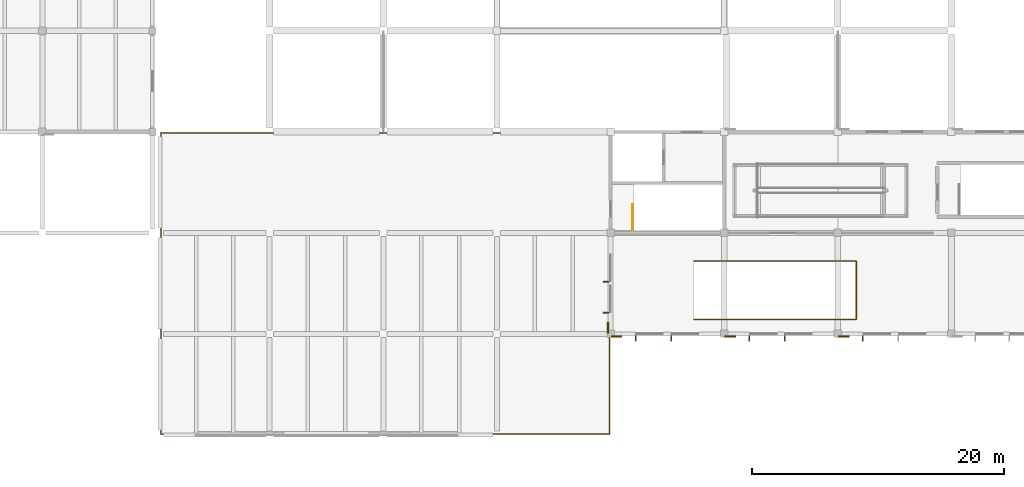
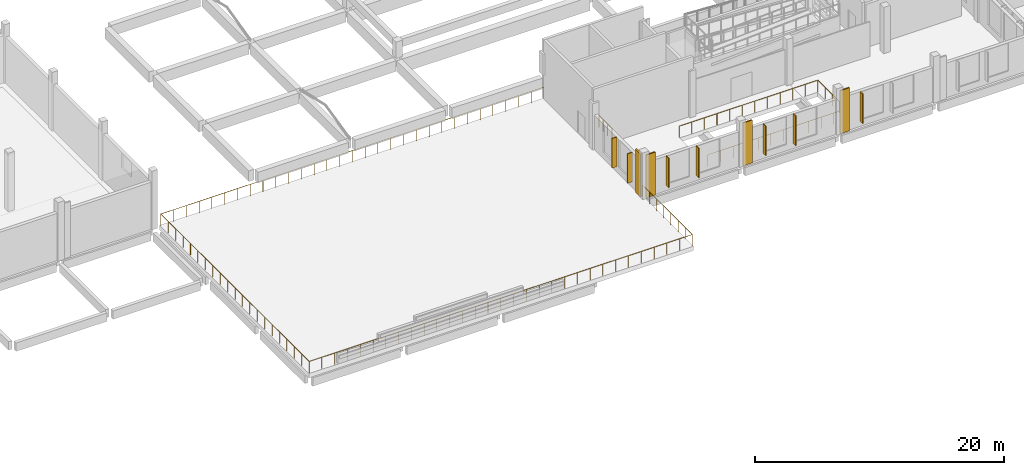
# One storey, part 49 of 63: 7 shading devices, 4 coverings, 3 railings.
"""IFC4 building model written with IfcOpenShell, lengths in metres."""

from ifc_helpers import new_model, si_unit, direction, frame, origin, origin_2d, place, context, subcontext, project, spatial, rectangle, circle, extrude, material, layer, layer_set, type_object, element, save


model = new_model("IFC4")

# Units and contexts
model_context = context("Model", 3, precision=1e-05, world=origin(), true_north=direction((0.0, 1.0)))
body_context = subcontext(model_context, "Body", "Model", "MODEL_VIEW")
ifc_project = project(units=[si_unit("LENGTHUNIT", "METRE"), si_unit("AREAUNIT", "SQUARE_METRE"), si_unit("VOLUMEUNIT", "CUBIC_METRE"), si_unit("PLANEANGLEUNIT", "RADIAN"), si_unit("MASSUNIT", "GRAM", prefix="KILO")], contexts=[model_context])

# Site, building, storey
site_placement = place(None, origin())
site = spatial("IfcSite", under=ifc_project, at=site_placement, CompositionType="ELEMENT")
building_placement = place(site_placement, origin())
building = spatial("IfcBuilding", under=site, at=building_placement, Name="Zacnel Wholesale Market", CompositionType="ELEMENT")
storey_placement = place(building_placement, frame((0.0, 0.0, 11.199951171875)))
storey = spatial("IfcBuildingStorey", under=building, at=storey_placement, Name="L03", CompositionType="ELEMENT", Elevation=11.199951171875)

# Coverings
ifc_material_1 = material(Name="Honed Yucatan Maya cream limestone", Category="masonry")
ifc_layer_1 = layer(ifc_material_1, 0.090087890625)
ifc_layer_set_1 = layer_set([ifc_layer_1], Name="Honed Yucatan Maya cream limestone")
covering_type = type_object("IfcCoveringType", Name="COV-CLAD-FRET", PredefinedType="CLADDING", material=ifc_layer_set_1)
for number, where, z_axis, x_axis, name in (
    (1, (108.47998046875, 7.7900390625, 0.02001953125), (0.0, 0.0, 1.0), (1.0, 0.0, 0.0), "Fluted Mayan-Deco limestone pilaster L03-0185"),
    (2, (117.47998046875, 7.7900390625, 0.02001953125), (0.0, 0.0, 1.0), (1.0, 0.0, 0.0), "Fluted Mayan-Deco limestone pilaster L03-0186"),
    (3, (126.47998046875, 7.7900390625, 0.02001953125), (0.0, 0.0, 1.0), (1.0, 0.0, 0.0), "Fluted Mayan-Deco limestone pilaster L03-0187"),
    (4, (107.7900390625, 8.47998046875, 0.02001953125), (0.0, 0.0, 1.0), (0.0, 1.0, 0.0), "Fluted Mayan-Deco limestone pilaster L03-0192"),
):
    element("IfcCovering", number, at=place(storey_placement, frame(where, z_axis=z_axis, x_axis=x_axis)), inside=storey, type_object=covering_type, Name=name, PredefinedType="CLADDING", context=body_context, shape_type="SweptSolid", body=[
        extrude(rectangle(XDim=0.85009765625, YDim=0.1201171875, at=origin_2d()), origin(), (0.0, 0.0, 1.0), 4.2099609375),
    ])

# Railings
ifc_material_2 = material(Name="Galvanized steel", Category="steel")
railing_type_1 = type_object("IfcRailingType", Name="RAL-STAIR-GD1150", PredefinedType="BALUSTRADE", material=ifc_material_2)
railing_1_placement = place(storey_placement, frame((109.75, 16.18994140625, 0.0)))
element("IfcRailing", 5, at=railing_1_placement, inside=storey, type_object=railing_type_1, Name="Stair balustrade INT-STAIR-ST-17-GDWELL-1", PredefinedType="BALUSTRADE", context=body_context, shape_type="SweptSolid", body=[
    extrude(circle(Radius=0.02392578125, at=origin_2d()), frame((0.0, 0.0, 1.1259765625), z_axis=(0.0, 1.0, 0.0), x_axis=(-1.0, 0.0, 0.0)), (0.0, 0.0, 1.0), 2.06005859375),
    extrude(circle(Radius=0.02099609375, at=origin_2d()), origin(), (0.0, 0.0, 1.0), 1.101806640625),
    extrude(circle(Radius=0.02099609375, at=origin_2d()), frame((0.0, 0.686767578125, 0.0)), (0.0, 0.0, 1.0), 1.101806640625),
    extrude(circle(Radius=0.02099609375, at=origin_2d()), frame((0.0, 1.373291015625, 0.0)), (0.0, 0.0, 1.0), 1.101806640625),
    extrude(circle(Radius=0.02099609375, at=origin_2d()), frame((0.0, 2.06005859375, 0.0)), (0.0, 0.0, 1.0), 1.101806640625),
])
ifc_material_3 = material(Name="Steel S355", Category="steel")
ifc_layer_2 = layer(ifc_material_3, 0.080078125)
ifc_layer_set_2 = layer_set([ifc_layer_2], Name="Steel S355")
railing_type_2 = type_object("IfcRailingType", Name="RL-BAL-1150", PredefinedType="BALUSTRADE", material=ifc_layer_set_2)
railing_2_placement = place(storey_placement, frame((107.919921875, 8.080078125, 0.0)))
element("IfcRailing", 6, at=railing_2_placement, inside=storey, type_object=railing_type_2, Name="Terrace safety balustrade GD-L03-TW-WSN", PredefinedType="BALUSTRADE", context=body_context, shape_type="SweptSolid", body=[
    extrude(circle(Radius=0.02392578125, at=origin_2d()), frame((0.0, 0.0, 1.1259765625), z_axis=(0.0, -1.0, 0.0), x_axis=(1.0, 0.0, 0.0)), (0.0, 0.0, 1.0), 8.0),
    extrude(circle(Radius=0.02392578125, at=origin_2d()), frame((0.0, -8.0, 1.1259765625), z_axis=(-1.0, 0.0, 0.0), x_axis=(0.0, -1.0, 0.0)), (0.0, 0.0, 1.0), 35.5400390625),
    extrude(circle(Radius=0.02392578125, at=origin_2d()), frame((-35.5400390625, -8.0, 1.1259765625), z_axis=(0.0, 1.0, 0.0), x_axis=(-1.0, 0.0, 0.0)), (0.0, 0.0, 1.0), 23.83984375),
    extrude(circle(Radius=0.02392578125, at=origin_2d()), frame((-35.5400390625, 15.83984375, 1.1259765625), z_axis=(1.0, 0.0, 0.0), x_axis=(0.0, 1.0, 0.0)), (0.0, 0.0, 1.0), 35.5400390625),
    extrude(circle(Radius=0.02099609375, at=origin_2d()), origin(), (0.0, 0.0, 1.0), 1.101806640625),
    extrude(circle(Radius=0.02099609375, at=origin_2d()), frame((0.0, -1.142822265625, 0.0)), (0.0, 0.0, 1.0), 1.101806640625),
    extrude(circle(Radius=0.02099609375, at=origin_2d()), frame((0.0, -2.28564453125, 0.0)), (0.0, 0.0, 1.0), 1.101806640625),
    extrude(circle(Radius=0.02099609375, at=origin_2d()), frame((0.0, -3.428466796875, 0.0)), (0.0, 0.0, 1.0), 1.101806640625),
    extrude(circle(Radius=0.02099609375, at=origin_2d()), frame((0.0, -4.571533203125, 0.0)), (0.0, 0.0, 1.0), 1.101806640625),
    extrude(circle(Radius=0.02099609375, at=origin_2d()), frame((0.0, -5.71435546875, 0.0)), (0.0, 0.0, 1.0), 1.101806640625),
    extrude(circle(Radius=0.02099609375, at=origin_2d()), frame((0.0, -6.857177734375, 0.0)), (0.0, 0.0, 1.0), 1.101806640625),
    extrude(circle(Radius=0.02099609375, at=origin_2d()), frame((0.0, -8.0, 0.0)), (0.0, 0.0, 1.0), 1.101806640625),
    extrude(circle(Radius=0.02099609375, at=origin_2d()), frame((-1.1845703125, -8.0, 0.0)), (0.0, 0.0, 1.0), 1.101806640625),
    extrude(circle(Radius=0.02099609375, at=origin_2d()), frame((-2.369384765625, -8.0, 0.0)), (0.0, 0.0, 1.0), 1.101806640625),
    extrude(circle(Radius=0.02099609375, at=origin_2d()), frame((-3.553955078125, -8.0, 0.0)), (0.0, 0.0, 1.0), 1.101806640625),
    extrude(circle(Radius=0.02099609375, at=origin_2d()), frame((-4.73876953125, -8.0, 0.0)), (0.0, 0.0, 1.0), 1.101806640625),
    extrude(circle(Radius=0.02099609375, at=origin_2d()), frame((-5.92333984375, -8.0, 0.0)), (0.0, 0.0, 1.0), 1.101806640625),
    extrude(circle(Radius=0.02099609375, at=origin_2d()), frame((-7.10791015625, -8.0, 0.0)), (0.0, 0.0, 1.0), 1.101806640625),
    extrude(circle(Radius=0.02099609375, at=origin_2d()), frame((-8.292724609375, -8.0, 0.0)), (0.0, 0.0, 1.0), 1.101806640625),
    extrude(circle(Radius=0.02099609375, at=origin_2d()), frame((-9.477294921875, -8.0, 0.0)), (0.0, 0.0, 1.0), 1.101806640625),
    extrude(circle(Radius=0.02099609375, at=origin_2d()), frame((-10.662109375, -8.0, 0.0)), (0.0, 0.0, 1.0), 1.101806640625),
    extrude(circle(Radius=0.02099609375, at=origin_2d()), frame((-11.8466796875, -8.0, 0.0)), (0.0, 0.0, 1.0), 1.101806640625),
    extrude(circle(Radius=0.02099609375, at=origin_2d()), frame((-13.03125, -8.0, 0.0)), (0.0, 0.0, 1.0), 1.101806640625),
    extrude(circle(Radius=0.02099609375, at=origin_2d()), frame((-14.216064453125, -8.0, 0.0)), (0.0, 0.0, 1.0), 1.101806640625),
    extrude(circle(Radius=0.02099609375, at=origin_2d()), frame((-15.400634765625, -8.0, 0.0)), (0.0, 0.0, 1.0), 1.101806640625),
    extrude(circle(Radius=0.02099609375, at=origin_2d()), frame((-16.58544921875, -8.0, 0.0)), (0.0, 0.0, 1.0), 1.101806640625),
    extrude(circle(Radius=0.02099609375, at=origin_2d()), frame((-17.77001953125, -8.0, 0.0)), (0.0, 0.0, 1.0), 1.101806640625),
    extrude(circle(Radius=0.02099609375, at=origin_2d()), frame((-18.95458984375, -8.0, 0.0)), (0.0, 0.0, 1.0), 1.101806640625),
    extrude(circle(Radius=0.02099609375, at=origin_2d()), frame((-20.139404296875, -8.0, 0.0)), (0.0, 0.0, 1.0), 1.101806640625),
    extrude(circle(Radius=0.02099609375, at=origin_2d()), frame((-21.323974609375, -8.0, 0.0)), (0.0, 0.0, 1.0), 1.101806640625),
    extrude(circle(Radius=0.02099609375, at=origin_2d()), frame((-22.5087890625, -8.0, 0.0)), (0.0, 0.0, 1.0), 1.101806640625),
    extrude(circle(Radius=0.02099609375, at=origin_2d()), frame((-23.693359375, -8.0, 0.0)), (0.0, 0.0, 1.0), 1.101806640625),
    extrude(circle(Radius=0.02099609375, at=origin_2d()), frame((-24.8779296875, -8.0, 0.0)), (0.0, 0.0, 1.0), 1.101806640625),
    extrude(circle(Radius=0.02099609375, at=origin_2d()), frame((-26.062744140625, -8.0, 0.0)), (0.0, 0.0, 1.0), 1.101806640625),
    extrude(circle(Radius=0.02099609375, at=origin_2d()), frame((-27.247314453125, -8.0, 0.0)), (0.0, 0.0, 1.0), 1.101806640625),
    extrude(circle(Radius=0.02099609375, at=origin_2d()), frame((-28.43212890625, -8.0, 0.0)), (0.0, 0.0, 1.0), 1.101806640625),
    extrude(circle(Radius=0.02099609375, at=origin_2d()), frame((-29.61669921875, -8.0, 0.0)), (0.0, 0.0, 1.0), 1.101806640625),
    extrude(circle(Radius=0.02099609375, at=origin_2d()), frame((-30.80126953125, -8.0, 0.0)), (0.0, 0.0, 1.0), 1.101806640625),
    extrude(circle(Radius=0.02099609375, at=origin_2d()), frame((-31.986083984375, -8.0, 0.0)), (0.0, 0.0, 1.0), 1.101806640625),
    extrude(circle(Radius=0.02099609375, at=origin_2d()), frame((-33.170654296875, -8.0, 0.0)), (0.0, 0.0, 1.0), 1.101806640625),
    extrude(circle(Radius=0.02099609375, at=origin_2d()), frame((-34.35546875, -8.0, 0.0)), (0.0, 0.0, 1.0), 1.101806640625),
    extrude(circle(Radius=0.02099609375, at=origin_2d()), frame((-35.5400390625, -8.0, 0.0)), (0.0, 0.0, 1.0), 1.101806640625),
    extrude(circle(Radius=0.02099609375, at=origin_2d()), frame((-35.5400390625, -6.80810546875, 0.0)), (0.0, 0.0, 1.0), 1.101806640625),
    extrude(circle(Radius=0.02099609375, at=origin_2d()), frame((-35.5400390625, -5.615966796875, 0.0)), (0.0, 0.0, 1.0), 1.101806640625),
    extrude(circle(Radius=0.02099609375, at=origin_2d()), frame((-35.5400390625, -4.424072265625, 0.0)), (0.0, 0.0, 1.0), 1.101806640625),
    extrude(circle(Radius=0.02099609375, at=origin_2d()), frame((-35.5400390625, -3.23193359375, 0.0)), (0.0, 0.0, 1.0), 1.101806640625),
    extrude(circle(Radius=0.02099609375, at=origin_2d()), frame((-35.5400390625, -2.0400390625, 0.0)), (0.0, 0.0, 1.0), 1.101806640625),
    extrude(circle(Radius=0.02099609375, at=origin_2d()), frame((-35.5400390625, -0.84814453125, 0.0)), (0.0, 0.0, 1.0), 1.101806640625),
    extrude(circle(Radius=0.02099609375, at=origin_2d()), frame((-35.5400390625, 0.343994140625, 0.0)), (0.0, 0.0, 1.0), 1.101806640625),
    extrude(circle(Radius=0.02099609375, at=origin_2d()), frame((-35.5400390625, 1.535888671875, 0.0)), (0.0, 0.0, 1.0), 1.101806640625),
    extrude(circle(Radius=0.02099609375, at=origin_2d()), frame((-35.5400390625, 2.72802734375, 0.0)), (0.0, 0.0, 1.0), 1.101806640625),
    extrude(circle(Radius=0.02099609375, at=origin_2d()), frame((-35.5400390625, 3.919921875, 0.0)), (0.0, 0.0, 1.0), 1.101806640625),
    extrude(circle(Radius=0.02099609375, at=origin_2d()), frame((-35.5400390625, 5.11181640625, 0.0)), (0.0, 0.0, 1.0), 1.101806640625),
    extrude(circle(Radius=0.02099609375, at=origin_2d()), frame((-35.5400390625, 6.303955078125, 0.0)), (0.0, 0.0, 1.0), 1.101806640625),
    extrude(circle(Radius=0.02099609375, at=origin_2d()), frame((-35.5400390625, 7.495849609375, 0.0)), (0.0, 0.0, 1.0), 1.101806640625),
    extrude(circle(Radius=0.02099609375, at=origin_2d()), frame((-35.5400390625, 8.68798828125, 0.0)), (0.0, 0.0, 1.0), 1.101806640625),
    extrude(circle(Radius=0.02099609375, at=origin_2d()), frame((-35.5400390625, 9.8798828125, 0.0)), (0.0, 0.0, 1.0), 1.101806640625),
    extrude(circle(Radius=0.02099609375, at=origin_2d()), frame((-35.5400390625, 11.07177734375, 0.0)), (0.0, 0.0, 1.0), 1.101806640625),
    extrude(circle(Radius=0.02099609375, at=origin_2d()), frame((-35.5400390625, 12.263916015625, 0.0)), (0.0, 0.0, 1.0), 1.101806640625),
    extrude(circle(Radius=0.02099609375, at=origin_2d()), frame((-35.5400390625, 13.455810546875, 0.0)), (0.0, 0.0, 1.0), 1.101806640625),
    extrude(circle(Radius=0.02099609375, at=origin_2d()), frame((-35.5400390625, 14.64794921875, 0.0)), (0.0, 0.0, 1.0), 1.101806640625),
    extrude(circle(Radius=0.02099609375, at=origin_2d()), frame((-35.5400390625, 15.83984375, 0.0)), (0.0, 0.0, 1.0), 1.101806640625),
    extrude(circle(Radius=0.02099609375, at=origin_2d()), frame((-34.35546875, 15.83984375, 0.0)), (0.0, 0.0, 1.0), 1.101806640625),
    extrude(circle(Radius=0.02099609375, at=origin_2d()), frame((-33.170654296875, 15.83984375, 0.0)), (0.0, 0.0, 1.0), 1.101806640625),
    extrude(circle(Radius=0.02099609375, at=origin_2d()), frame((-31.986083984375, 15.83984375, 0.0)), (0.0, 0.0, 1.0), 1.101806640625),
    extrude(circle(Radius=0.02099609375, at=origin_2d()), frame((-30.80126953125, 15.83984375, 0.0)), (0.0, 0.0, 1.0), 1.101806640625),
    extrude(circle(Radius=0.02099609375, at=origin_2d()), frame((-29.61669921875, 15.83984375, 0.0)), (0.0, 0.0, 1.0), 1.101806640625),
    extrude(circle(Radius=0.02099609375, at=origin_2d()), frame((-28.43212890625, 15.83984375, 0.0)), (0.0, 0.0, 1.0), 1.101806640625),
    extrude(circle(Radius=0.02099609375, at=origin_2d()), frame((-27.247314453125, 15.83984375, 0.0)), (0.0, 0.0, 1.0), 1.101806640625),
    extrude(circle(Radius=0.02099609375, at=origin_2d()), frame((-26.062744140625, 15.83984375, 0.0)), (0.0, 0.0, 1.0), 1.101806640625),
    extrude(circle(Radius=0.02099609375, at=origin_2d()), frame((-24.8779296875, 15.83984375, 0.0)), (0.0, 0.0, 1.0), 1.101806640625),
    extrude(circle(Radius=0.02099609375, at=origin_2d()), frame((-23.693359375, 15.83984375, 0.0)), (0.0, 0.0, 1.0), 1.101806640625),
    extrude(circle(Radius=0.02099609375, at=origin_2d()), frame((-22.5087890625, 15.83984375, 0.0)), (0.0, 0.0, 1.0), 1.101806640625),
    extrude(circle(Radius=0.02099609375, at=origin_2d()), frame((-21.323974609375, 15.83984375, 0.0)), (0.0, 0.0, 1.0), 1.101806640625),
    extrude(circle(Radius=0.02099609375, at=origin_2d()), frame((-20.139404296875, 15.83984375, 0.0)), (0.0, 0.0, 1.0), 1.101806640625),
    extrude(circle(Radius=0.02099609375, at=origin_2d()), frame((-18.95458984375, 15.83984375, 0.0)), (0.0, 0.0, 1.0), 1.101806640625),
    extrude(circle(Radius=0.02099609375, at=origin_2d()), frame((-17.77001953125, 15.83984375, 0.0)), (0.0, 0.0, 1.0), 1.101806640625),
    extrude(circle(Radius=0.02099609375, at=origin_2d()), frame((-16.58544921875, 15.83984375, 0.0)), (0.0, 0.0, 1.0), 1.101806640625),
    extrude(circle(Radius=0.02099609375, at=origin_2d()), frame((-15.400634765625, 15.83984375, 0.0)), (0.0, 0.0, 1.0), 1.101806640625),
    extrude(circle(Radius=0.02099609375, at=origin_2d()), frame((-14.216064453125, 15.83984375, 0.0)), (0.0, 0.0, 1.0), 1.101806640625),
    extrude(circle(Radius=0.02099609375, at=origin_2d()), frame((-13.03125, 15.83984375, 0.0)), (0.0, 0.0, 1.0), 1.101806640625),
    extrude(circle(Radius=0.02099609375, at=origin_2d()), frame((-11.8466796875, 15.83984375, 0.0)), (0.0, 0.0, 1.0), 1.101806640625),
    extrude(circle(Radius=0.02099609375, at=origin_2d()), frame((-10.662109375, 15.83984375, 0.0)), (0.0, 0.0, 1.0), 1.101806640625),
    extrude(circle(Radius=0.02099609375, at=origin_2d()), frame((-9.477294921875, 15.83984375, 0.0)), (0.0, 0.0, 1.0), 1.101806640625),
    extrude(circle(Radius=0.02099609375, at=origin_2d()), frame((-8.292724609375, 15.83984375, 0.0)), (0.0, 0.0, 1.0), 1.101806640625),
    extrude(circle(Radius=0.02099609375, at=origin_2d()), frame((-7.10791015625, 15.83984375, 0.0)), (0.0, 0.0, 1.0), 1.101806640625),
    extrude(circle(Radius=0.02099609375, at=origin_2d()), frame((-5.92333984375, 15.83984375, 0.0)), (0.0, 0.0, 1.0), 1.101806640625),
    extrude(circle(Radius=0.02099609375, at=origin_2d()), frame((-4.73876953125, 15.83984375, 0.0)), (0.0, 0.0, 1.0), 1.101806640625),
    extrude(circle(Radius=0.02099609375, at=origin_2d()), frame((-3.553955078125, 15.83984375, 0.0)), (0.0, 0.0, 1.0), 1.101806640625),
    extrude(circle(Radius=0.02099609375, at=origin_2d()), frame((-2.369384765625, 15.83984375, 0.0)), (0.0, 0.0, 1.0), 1.101806640625),
    extrude(circle(Radius=0.02099609375, at=origin_2d()), frame((-1.1845703125, 15.83984375, 0.0)), (0.0, 0.0, 1.0), 1.101806640625),
    extrude(circle(Radius=0.02099609375, at=origin_2d()), frame((0.0, 15.83984375, 0.0)), (0.0, 0.0, 1.0), 1.101806640625),
])
railing_3_placement = place(storey_placement, frame((114.60009765625, 9.139892578125, 0.0)))
element("IfcRailing", 7, at=railing_3_placement, inside=storey, type_object=railing_type_2, Name="Terrace safety balustrade GD-L03-RWELL-2", PredefinedType="BALUSTRADE", context=body_context, shape_type="SweptSolid", body=[
    extrude(circle(Radius=0.02392578125, at=origin_2d()), frame((0.0, 0.0, 1.1259765625), z_axis=(1.0, 0.0, 0.0), x_axis=(0.0, 1.0, 0.0)), (0.0, 0.0, 1.0), 12.85986328125),
    extrude(circle(Radius=0.02392578125, at=origin_2d()), frame((12.85986328125, 0.0, 1.1259765625), z_axis=(0.0, 1.0, 0.0), x_axis=(-1.0, 0.0, 0.0)), (0.0, 0.0, 1.0), 4.6201171875),
    extrude(circle(Radius=0.02392578125, at=origin_2d()), frame((12.85986328125, 4.6201171875, 1.1259765625), z_axis=(-1.0, 0.0, 0.0), x_axis=(0.0, -1.0, 0.0)), (0.0, 0.0, 1.0), 12.85986328125),
    extrude(circle(Radius=0.02099609375, at=origin_2d()), origin(), (0.0, 0.0, 1.0), 1.101806640625),
    extrude(circle(Radius=0.02099609375, at=origin_2d()), frame((1.169189453125, 0.0, 0.0)), (0.0, 0.0, 1.0), 1.101806640625),
    extrude(circle(Radius=0.02099609375, at=origin_2d()), frame((2.338134765625, 0.0, 0.0)), (0.0, 0.0, 1.0), 1.101806640625),
    extrude(circle(Radius=0.02099609375, at=origin_2d()), frame((3.50732421875, 0.0, 0.0)), (0.0, 0.0, 1.0), 1.101806640625),
    extrude(circle(Radius=0.02099609375, at=origin_2d()), frame((4.67626953125, 0.0, 0.0)), (0.0, 0.0, 1.0), 1.101806640625),
    extrude(circle(Radius=0.02099609375, at=origin_2d()), frame((5.845458984375, 0.0, 0.0)), (0.0, 0.0, 1.0), 1.101806640625),
    extrude(circle(Radius=0.02099609375, at=origin_2d()), frame((7.014404296875, 0.0, 0.0)), (0.0, 0.0, 1.0), 1.101806640625),
    extrude(circle(Radius=0.02099609375, at=origin_2d()), frame((8.18359375, 0.0, 0.0)), (0.0, 0.0, 1.0), 1.101806640625),
    extrude(circle(Radius=0.02099609375, at=origin_2d()), frame((9.3525390625, 0.0, 0.0)), (0.0, 0.0, 1.0), 1.101806640625),
    extrude(circle(Radius=0.02099609375, at=origin_2d()), frame((10.521728515625, 0.0, 0.0)), (0.0, 0.0, 1.0), 1.101806640625),
    extrude(circle(Radius=0.02099609375, at=origin_2d()), frame((11.690673828125, 0.0, 0.0)), (0.0, 0.0, 1.0), 1.101806640625),
    extrude(circle(Radius=0.02099609375, at=origin_2d()), frame((12.85986328125, 0.0, 0.0)), (0.0, 0.0, 1.0), 1.101806640625),
    extrude(circle(Radius=0.02099609375, at=origin_2d()), frame((12.85986328125, 1.155029296875, 0.0)), (0.0, 0.0, 1.0), 1.101806640625),
    extrude(circle(Radius=0.02099609375, at=origin_2d()), frame((12.85986328125, 2.31005859375, 0.0)), (0.0, 0.0, 1.0), 1.101806640625),
    extrude(circle(Radius=0.02099609375, at=origin_2d()), frame((12.85986328125, 3.465087890625, 0.0)), (0.0, 0.0, 1.0), 1.101806640625),
    extrude(circle(Radius=0.02099609375, at=origin_2d()), frame((12.85986328125, 4.6201171875, 0.0)), (0.0, 0.0, 1.0), 1.101806640625),
    extrude(circle(Radius=0.02099609375, at=origin_2d()), frame((11.690673828125, 4.6201171875, 0.0)), (0.0, 0.0, 1.0), 1.101806640625),
    extrude(circle(Radius=0.02099609375, at=origin_2d()), frame((10.521728515625, 4.6201171875, 0.0)), (0.0, 0.0, 1.0), 1.101806640625),
    extrude(circle(Radius=0.02099609375, at=origin_2d()), frame((9.3525390625, 4.6201171875, 0.0)), (0.0, 0.0, 1.0), 1.101806640625),
    extrude(circle(Radius=0.02099609375, at=origin_2d()), frame((8.18359375, 4.6201171875, 0.0)), (0.0, 0.0, 1.0), 1.101806640625),
    extrude(circle(Radius=0.02099609375, at=origin_2d()), frame((7.014404296875, 4.6201171875, 0.0)), (0.0, 0.0, 1.0), 1.101806640625),
    extrude(circle(Radius=0.02099609375, at=origin_2d()), frame((5.845458984375, 4.6201171875, 0.0)), (0.0, 0.0, 1.0), 1.101806640625),
    extrude(circle(Radius=0.02099609375, at=origin_2d()), frame((4.67626953125, 4.6201171875, 0.0)), (0.0, 0.0, 1.0), 1.101806640625),
    extrude(circle(Radius=0.02099609375, at=origin_2d()), frame((3.50732421875, 4.6201171875, 0.0)), (0.0, 0.0, 1.0), 1.101806640625),
    extrude(circle(Radius=0.02099609375, at=origin_2d()), frame((2.338134765625, 4.6201171875, 0.0)), (0.0, 0.0, 1.0), 1.101806640625),
    extrude(circle(Radius=0.02099609375, at=origin_2d()), frame((1.169189453125, 4.6201171875, 0.0)), (0.0, 0.0, 1.0), 1.101806640625),
    extrude(circle(Radius=0.02099609375, at=origin_2d()), frame((0.0, 4.6201171875, 0.0)), (0.0, 0.0, 1.0), 1.101806640625),
])

# Shading devices
ifc_material_4 = material(Name="Honed Yucatan Maya cream limestone", Category="masonry")
shading_device_type = type_object("IfcShadingDeviceType", Name="SHD-FIN-V450", PredefinedType="USERDEFINED", material=ifc_material_4)
for number, where, z_axis, x_axis, name in (
    (8, (109.989990234375, 7.639892578125, 0.53515625), (0.0, 0.0, 1.0), (1.0, 0.0, 0.0), "Limestone sunshade fin 0211"),
    (9, (112.7900390625, 7.639892578125, 0.53515625), (0.0, 0.0, 1.0), (1.0, 0.0, 0.0), "Limestone sunshade fin 0212"),
    (10, (118.989990234375, 7.639892578125, 0.53515625), (0.0, 0.0, 1.0), (1.0, 0.0, 0.0), "Limestone sunshade fin 0213"),
    (11, (121.7900390625, 7.639892578125, 0.53515625), (0.0, 0.0, 1.0), (1.0, 0.0, 0.0), "Limestone sunshade fin 0214"),
    (12, (127.989990234375, 7.639892578125, 0.53515625), (0.0, 0.0, 1.0), (1.0, 0.0, 0.0), "Limestone sunshade fin 0215"),
    (13, (107.639892578125, 9.656982421875, 0.53515625), (0.0, 0.0, 1.0), (0.0, 1.0, 0.0), "Limestone sunshade fin 0219"),
    (14, (107.639892578125, 12.123046875, 0.53515625), (0.0, 0.0, 1.0), (0.0, 1.0, 0.0), "Limestone sunshade fin 0220"),
):
    element("IfcShadingDevice", number, at=place(storey_placement, frame(where, z_axis=z_axis, x_axis=x_axis)), inside=storey, type_object=shading_device_type, Name=name, ObjectType="SUNSHADE", PredefinedType="USERDEFINED", context=body_context, shape_type="SweptSolid", body=[
        extrude(rectangle(XDim=0.080078125, YDim=0.43994140625, at=origin_2d()), origin(), (0.0, 0.0, 1.0), 2.89990234375),
    ])

save(model, "model.ifc")
